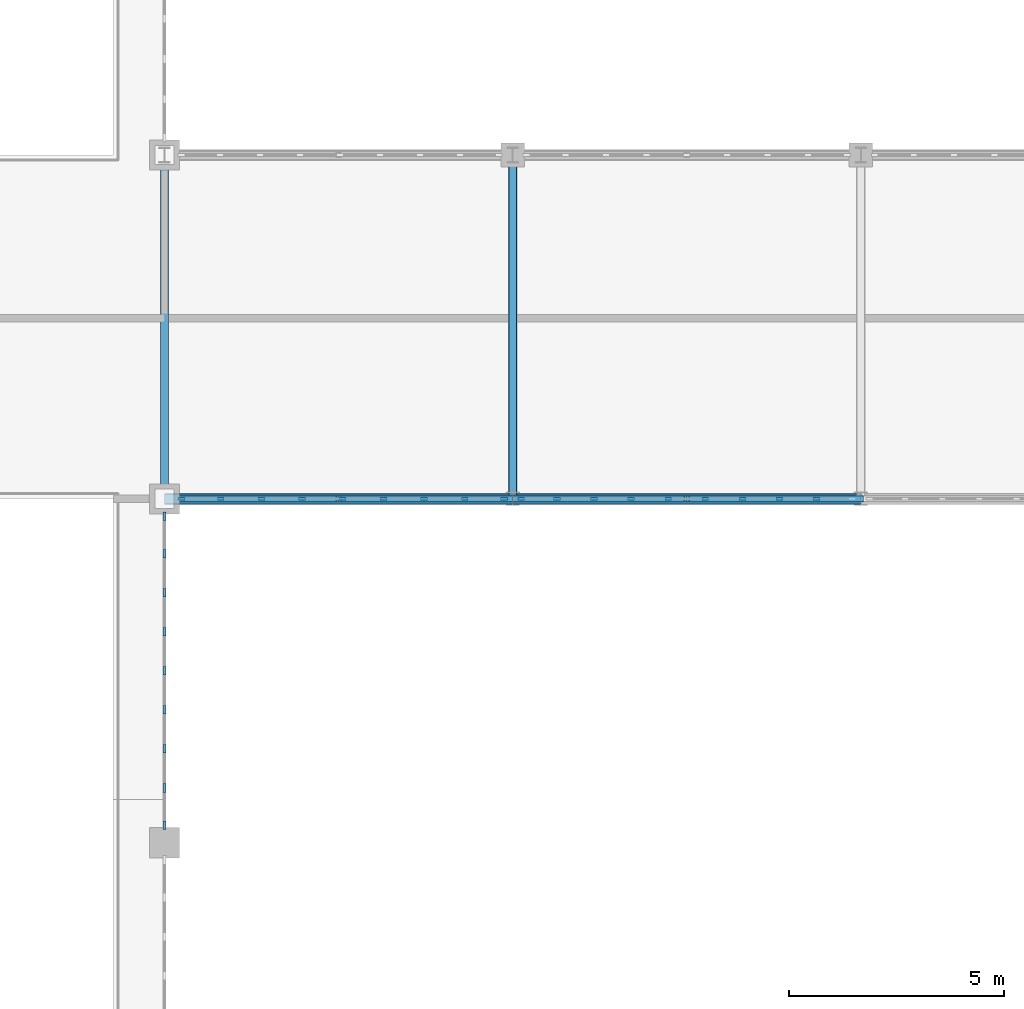
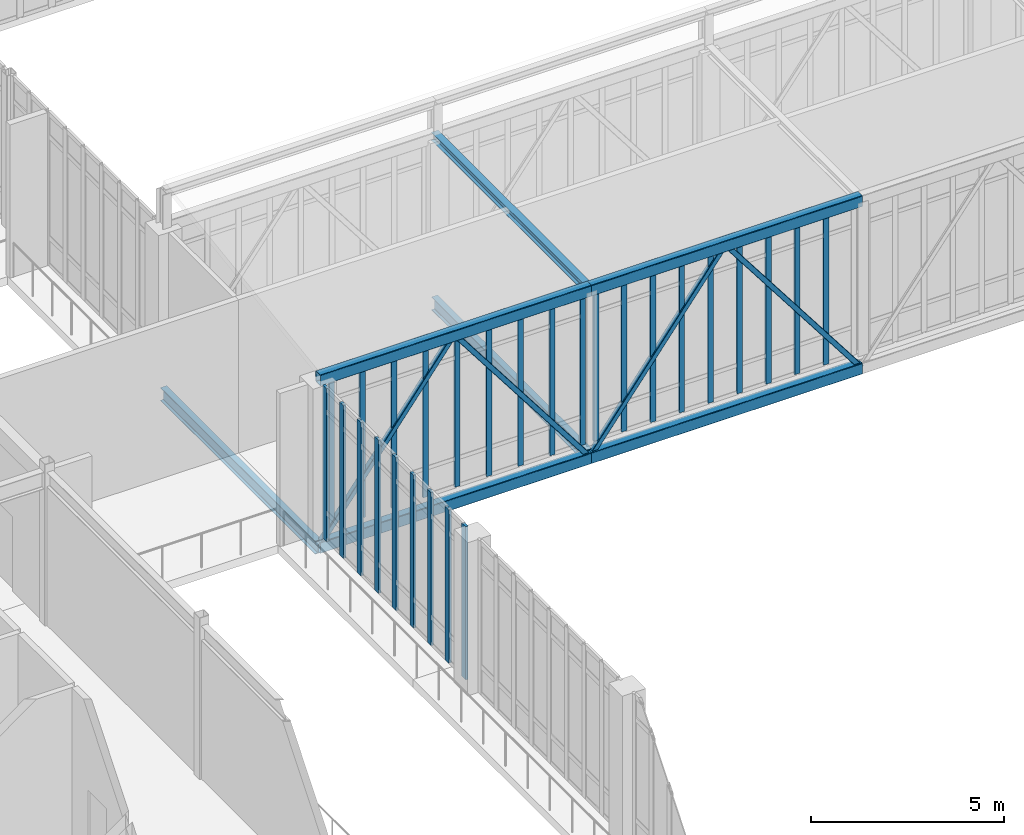
# One storey, part 26 of 107: 35 members, 3 beams, 3 elements without a shape of their own.
"""IFC4 building model written with IfcOpenShell, lengths in metres."""

import ifcopenshell
import ifcopenshell.guid

model = None  # the IFC model being written
_history = None  # IfcOwnerHistory: only IFC2X3 demands one
_inside = {}  # id of a spatial element -> (the spatial element, [elements in it])
_under = {}  # id of a project, library or spatial element -> (it, [spatial elements below it])
_declared = {}  # id of a project -> (the project, [libraries it declares])
_typed = {}  # id of a type object -> (the type object, [elements of that type])
_made_of = {}  # id of a material, layer set ... -> (it, [elements and type objects made of it])


def new_model(schema):
    """Start an empty IFC model of exactly this schema.

    Asked for "IFC4X3", IfcOpenShell would pick the latest addendum, in which some entities
    have other attributes; the version numbers below select the first issue.
    IFC2X3 requires an IfcOwnerHistory on every rooted entity: one is made here for all.
    """
    global model, _history
    if schema == "IFC4X3":
        model = ifcopenshell.file(schema_version=(4, 3, 0, 0))
    else:
        model = ifcopenshell.file(schema=schema)
    _inside.clear()
    _under.clear()
    _declared.clear()
    _typed.clear()
    _made_of.clear()
    _history = None
    if model.schema == "IFC2X3":
        org = make("IfcOrganization", Name="unknown")
        user = make(
            "IfcPersonAndOrganization",
            ThePerson=make("IfcPerson", FamilyName="unknown"),
            TheOrganization=org,
        )
        app = make(
            "IfcApplication",
            ApplicationDeveloper=org,
            Version="unknown",
            ApplicationFullName="unknown",
            ApplicationIdentifier="unknown",
        )
        _history = make(
            "IfcOwnerHistory",
            OwningUser=user,
            OwningApplication=app,
            ChangeAction="ADDED",
            CreationDate=0,
        )
    return model


def make(cls, **values):
    """One entity of the class cls with the attributes given. An attribute that is None is left unset."""
    return model.create_entity(
        cls, **{name: value for name, value in values.items() if value is not None}
    )


def rooted(cls, **values):
    """An entity with a GlobalId (a new one), such as an element, a storey or a relation."""
    return make(cls, GlobalId=ifcopenshell.guid.new(), OwnerHistory=_history, **values)


def si_unit(unit_type, name, prefix=None):
    """IfcSIUnit, for example si_unit("LENGTHUNIT", "METRE", prefix="MILLI")."""
    return make("IfcSIUnit", UnitType=unit_type, Prefix=prefix, Name=name)


def assignment(units):
    """IfcUnitAssignment: the units of a project."""
    return None if units is None else make("IfcUnitAssignment", Units=units)


def point(xyz):
    """IfcCartesianPoint."""
    return None if xyz is None else make("IfcCartesianPoint", Coordinates=xyz)


def direction(xyz):
    """IfcDirection."""
    return None if xyz is None else make("IfcDirection", DirectionRatios=xyz)


def frame(location, z_axis=None, x_axis=None):
    """IfcAxis2Placement3D, a coordinate frame: its origin and axes. An axis left out is left unset."""
    return make(
        "IfcAxis2Placement3D",
        Location=point(location),
        Axis=direction(z_axis),
        RefDirection=direction(x_axis),
    )


def frame_2d(location, x_axis=None):
    """IfcAxis2Placement2D, a coordinate frame in the plane: its origin and x axis."""
    return make(
        "IfcAxis2Placement2D", Location=point(location), RefDirection=direction(x_axis)
    )


def origin():
    """The frame at (0, 0, 0) with its axes left unset."""
    return frame((0.0, 0.0, 0.0))


def origin_2d():
    """The frame at (0, 0) in the plane with its x axis left unset."""
    return frame_2d((0.0, 0.0))


def place(relative_to, where):
    """IfcLocalPlacement: puts the frame where relative to a parent placement (None: the world)."""
    return make(
        "IfcLocalPlacement", PlacementRelTo=relative_to, RelativePlacement=where
    )


def context(
    kind, dimensions, precision=None, world=None, true_north=None, identifier=None
):
    """IfcGeometricRepresentationContext, for example the 3D "Model" context."""
    return make(
        "IfcGeometricRepresentationContext",
        ContextIdentifier=identifier,
        ContextType=kind,
        CoordinateSpaceDimension=dimensions,
        Precision=precision,
        WorldCoordinateSystem=world,
        TrueNorth=true_north,
    )


def subcontext(parent, identifier, kind, view, scale=None):
    """IfcGeometricRepresentationSubContext, for example "Body" below "Model"."""
    return make(
        "IfcGeometricRepresentationSubContext",
        ContextIdentifier=identifier,
        ContextType=kind,
        ParentContext=parent,
        TargetScale=scale,
        TargetView=view,
    )


def project(units=None, contexts=None):
    """IfcProject with its units and contexts."""
    return rooted(
        "IfcProject",
        Name="project",
        RepresentationContexts=contexts,
        UnitsInContext=assignment(units),
    )


def spatial(cls, under=None, at=None, **own):
    """A site, building, storey or space (cls), placed at a placement, below another one or the project."""
    s = rooted(cls, ObjectPlacement=at, **own)
    if under is not None:
        _under.setdefault(under.id(), (under, []))[1].append(s)
    return s


def profile(cls, at=None, kind="AREA", **sizes):
    """A parametric profile (cls). Its sizes go by their IFC names, for example OverallWidth=200.0."""
    return make(cls, ProfileType=kind, Position=at, **sizes)


def rectangle(**sizes):
    """IfcRectangleProfileDef."""
    return profile("IfcRectangleProfileDef", **sizes)


def hollow_rectangle(**sizes):
    """IfcRectangleHollowProfileDef."""
    return profile("IfcRectangleHollowProfileDef", **sizes)


def i_section(**sizes):
    """IfcIShapeProfileDef."""
    return profile("IfcIShapeProfileDef", **sizes)


def extrude(swept, where, along, depth):
    """IfcExtrudedAreaSolid: the profile swept, set in the frame where, extruded along a direction by depth."""
    return make(
        "IfcExtrudedAreaSolid",
        SweptArea=swept,
        Position=where,
        ExtrudedDirection=direction(along),
        Depth=depth,
    )


def shape(context_of_items, identifier, shape_type, items):
    """IfcShapeRepresentation: the items that make up one representation, for example the "Body"."""
    return make(
        "IfcShapeRepresentation",
        ContextOfItems=context_of_items,
        RepresentationIdentifier=identifier,
        RepresentationType=shape_type,
        Items=items,
    )


def material(Name=None, Category=None):
    """IfcMaterial."""
    return make("IfcMaterial", Name=Name, Category=Category)


def material_profile(
    of_material, cross_section, Name=None, Category=None, Priority=None
):
    """IfcMaterialProfile: a cross section and its material."""
    return make(
        "IfcMaterialProfile",
        Name=Name,
        Material=of_material,
        Profile=cross_section,
        Priority=Priority,
        Category=Category,
    )


def profile_set(profiles, Name=None, composite=None):
    """IfcMaterialProfileSet."""
    return make(
        "IfcMaterialProfileSet",
        Name=Name,
        MaterialProfiles=profiles,
        CompositeProfile=composite,
    )


def made_of(thing, what):
    """Note that an element or type object is made of a material, layer set ...; save() writes the relation."""
    if what is not None:
        _made_of.setdefault(what.id(), (what, []))[1].append(thing)
    return thing


def type_object(cls, material=None, **own):
    """A type object (cls), such as IfcWallType, which elements share."""
    return made_of(rooted(cls, **own), material)


def element(
    cls,
    number,
    at=None,
    inside=None,
    cuts=None,
    type_object=None,
    material=None,
    context=None,
    identifier="Body",
    shape_type=None,
    held_by="IfcProductDefinitionShape",
    body=None,
    shapes=None,
    **own,
):
    """One element of the class cls, such as IfcWall. Its Tag is "e" and its number.

    at: its placement. inside: the storey or other place that contains it. cuts: it is an
    opening in that element (IfcRelVoidsElement). A single representation is given by context,
    identifier, shape_type and body (its items); several are given by shapes. held_by: the class
    of the entity that holds the representations. save() writes the other relations.
    """
    e = rooted(cls, Tag="e%d" % number, ObjectPlacement=at, **own)
    if body is not None:
        shapes = [shape(context, identifier, shape_type, body)]
    if shapes is not None:
        e.Representation = make(held_by, Representations=shapes)
    if inside is not None:
        _inside.setdefault(inside.id(), (inside, []))[1].append(e)
    if cuts is not None:
        rooted(
            "IfcRelVoidsElement", RelatingBuildingElement=cuts, RelatedOpeningElement=e
        )
    if type_object is not None:
        _typed.setdefault(type_object.id(), (type_object, []))[1].append(e)
    return made_of(e, material)


def aggregate(whole, parts):
    """IfcRelAggregates: a whole, such as a stair, and the parts it consists of."""
    return rooted("IfcRelAggregates", RelatingObject=whole, RelatedObjects=parts)


def save(model, path):
    """Write the relations noted so far, then the file.

    IfcRelAggregates (storeys below a building ...), IfcRelContainedInSpatialStructure (elements
    in a storey), IfcRelDefinesByType, IfcRelAssociatesMaterial and IfcRelDeclares: one each for
    every whole, place, type object, material and project.
    """
    for whole, parts in _under.values():
        aggregate(whole, parts)
    for where, things in _inside.values():
        rooted(
            "IfcRelContainedInSpatialStructure",
            RelatedElements=things,
            RelatingStructure=where,
        )
    for kind, things in _typed.values():
        rooted("IfcRelDefinesByType", RelatedObjects=things, RelatingType=kind)
    for what, things in _made_of.values():
        rooted("IfcRelAssociatesMaterial", RelatedObjects=things, RelatingMaterial=what)
    for by, libraries in _declared.values():
        rooted("IfcRelDeclares", RelatingContext=by, RelatedDefinitions=libraries)
    model.write(path)


model = new_model("IFC4")

# Units and contexts
model_context = context("Model", 3, precision=1e-05, world=origin(), true_north=direction((0.0, 1.0)))
body_context = subcontext(model_context, "Body", "Model", "MODEL_VIEW")
ifc_project = project(units=[si_unit("LENGTHUNIT", "METRE"), si_unit("AREAUNIT", "SQUARE_METRE"), si_unit("VOLUMEUNIT", "CUBIC_METRE"), si_unit("PLANEANGLEUNIT", "RADIAN"), si_unit("MASSUNIT", "GRAM", prefix="KILO")], contexts=[model_context])

# Site, building, storey
site_placement = place(None, origin())
site = spatial("IfcSite", under=ifc_project, at=site_placement, CompositionType="ELEMENT")
building_placement = place(site_placement, origin())
building = spatial("IfcBuilding", under=site, at=building_placement, Name="Tarnveldt Square Police Headquarters", CompositionType="ELEMENT")
storey_placement = place(building_placement, frame((0.0, 0.0, 14.699951171875)))
storey = spatial("IfcBuildingStorey", under=building, at=storey_placement, Name="L03", CompositionType="ELEMENT", Elevation=14.699951171875)

# Beams
ifc_material_1 = material(Name="Steel 350W", Category="steel")
ifc_material_profile_1 = material_profile(ifc_material_1, i_section(OverallWidth=0.202880859375, OverallDepth=0.251953125, WebThickness=0.008056640625, FlangeThickness=0.013427734375, FilletRadius=0.012939453125, at=origin_2d()), Name="W250x58")
ifc_profile_set_1 = profile_set([ifc_material_profile_1], Name="Steel 350W")
beam_type_1 = type_object("IfcBeamType", Name="BM-W250x58", PredefinedType="BEAM", material=ifc_profile_set_1)
beam_placement = place(storey_placement, frame((56.699951171875, 72.0, 4.85009765625), z_axis=(0.0, 1.0, 0.0), x_axis=(-1.0, 0.0, 0.0)))
element("IfcBeam", 1, at=beam_placement, inside=storey, type_object=beam_type_1, Name="Skybridge SBN Roof Strut 2", PredefinedType="BEAM", context=body_context, shape_type="SweptSolid", body=[
    extrude(i_section(OverallWidth=0.202880859375, OverallDepth=0.251953125, WebThickness=0.008056640625, FlangeThickness=0.013427734375, FilletRadius=0.012939453125, at=origin_2d()), origin(), (0.0, 0.0, 1.0), 8.0),
])
ifc_material_profile_2 = material_profile(ifc_material_1, i_section(OverallWidth=0.180908203125, OverallDepth=0.4169921875, WebThickness=0.010986328125, FlangeThickness=0.018310546875, FilletRadius=0.01611328125, at=origin_2d()), Name="W410x85")
ifc_profile_set_2 = profile_set([ifc_material_profile_2], Name="Steel 350W")
beam_type_2 = type_object("IfcBeamType", Name="BM-W410x85", PredefinedType="BEAM", material=ifc_profile_set_2)
for number, where, z_axis, x_axis, name in (
    (2, (48.60009765625, 72.0, -0.468505859375), (0.0, 1.0, 0.0), (-1.0, 0.0, 0.0), "Skybridge SBN Floor Crossbeam 1"),
    (3, (56.699951171875, 72.0, -0.43994140625), (0.0, 1.0, 0.0), (-1.0, 0.0, 0.0), "Skybridge SBN Floor Crossbeam 2"),
):
    element("IfcBeam", number, at=place(storey_placement, frame(where, z_axis=z_axis, x_axis=x_axis)), inside=storey, type_object=beam_type_2, Name=name, PredefinedType="BEAM", context=body_context, shape_type="SweptSolid", body=[
        extrude(i_section(OverallWidth=0.180908203125, OverallDepth=0.4169921875, WebThickness=0.010986328125, FlangeThickness=0.018310546875, FilletRadius=0.01611328125, at=origin_2d()), origin(), (0.0, 0.0, 1.0), 8.0),
    ])

# Curtain wall, members
ifc_material_2 = material(Name="Triple-glazed low-e laminated vision glass", Category="glass")
curtain_wall_type_1 = type_object("IfcCurtainWallType", Name="CW-SB-757x484", PredefinedType="USERDEFINED", material=ifc_material_2)
curtain_wall_1_placement = place(storey_placement, origin())
curtain_wall_1 = element("IfcCurtainWall", 4, at=curtain_wall_1_placement, inside=storey, type_object=curtain_wall_type_1, Name="L03 Curtain Wall CW-L03-152", ObjectType="GLAZED CURTAIN WALL", PredefinedType="USERDEFINED")
ifc_material_3 = material(Name="Thermally broken anodised aluminium 6063-T6", Category="aluminium")
ifc_material_profile_3 = material_profile(ifc_material_3, rectangle(XDim=0.06494140625, YDim=0.159912109375, at=origin_2d()), Name="CW-M65x160")
ifc_profile_set_3 = profile_set([ifc_material_profile_3], Name="Thermally broken anodised aluminium 6063-T6")
member_type_1 = type_object("IfcMemberType", Name="CWM-65x160", PredefinedType="MULLION", material=ifc_profile_set_3)
member_1_placement = place(storey_placement, frame((48.99755859375, 72.0, 0.0), z_axis=(0.0, 0.0, 1.0), x_axis=(0.0, 1.0, 0.0)))
member_1 = element("IfcMember", 5, at=member_1_placement, type_object=member_type_1, Name="CW-SB89 mullion 1", PredefinedType="MULLION", context=body_context, shape_type="SweptSolid", body=[
    extrude(rectangle(XDim=0.06494140625, YDim=0.159912109375, at=origin_2d()), origin(), (0.0, 0.0, 1.0), 4.840087890625),
])
member_2_placement = place(storey_placement, frame((49.91064453125, 72.0, 0.0), z_axis=(0.0, 0.0, 1.0), x_axis=(0.0, 1.0, 0.0)))
member_2 = element("IfcMember", 6, at=member_2_placement, type_object=member_type_1, Name="CW-SB89 mullion 2", PredefinedType="MULLION", context=body_context, shape_type="SweptSolid", body=[
    extrude(rectangle(XDim=0.06494140625, YDim=0.159912109375, at=origin_2d()), origin(), (0.0, 0.0, 1.0), 4.840087890625),
])
member_3_placement = place(storey_placement, frame((50.8564453125, 72.0, 0.0), z_axis=(0.0, 0.0, 1.0), x_axis=(0.0, 1.0, 0.0)))
member_3 = element("IfcMember", 7, at=member_3_placement, type_object=member_type_1, Name="CW-SB89 mullion 3", PredefinedType="MULLION", context=body_context, shape_type="SweptSolid", body=[
    extrude(rectangle(XDim=0.06494140625, YDim=0.159912109375, at=origin_2d()), origin(), (0.0, 0.0, 1.0), 4.840087890625),
])
member_4_placement = place(storey_placement, frame((51.80224609375, 72.0, 0.0), z_axis=(0.0, 0.0, 1.0), x_axis=(0.0, 1.0, 0.0)))
member_4 = element("IfcMember", 8, at=member_4_placement, type_object=member_type_1, Name="CW-SB89 mullion 4", PredefinedType="MULLION", context=body_context, shape_type="SweptSolid", body=[
    extrude(rectangle(XDim=0.06494140625, YDim=0.159912109375, at=origin_2d()), origin(), (0.0, 0.0, 1.0), 4.840087890625),
])
member_5_placement = place(storey_placement, frame((52.748046875, 72.0, 0.0), z_axis=(0.0, 0.0, 1.0), x_axis=(0.0, 1.0, 0.0)))
member_5 = element("IfcMember", 9, at=member_5_placement, type_object=member_type_1, Name="CW-SB89 mullion 5", PredefinedType="MULLION", context=body_context, shape_type="SweptSolid", body=[
    extrude(rectangle(XDim=0.06494140625, YDim=0.159912109375, at=origin_2d()), origin(), (0.0, 0.0, 1.0), 4.840087890625),
])
member_6_placement = place(storey_placement, frame((53.69384765625, 72.0, 0.0), z_axis=(0.0, 0.0, 1.0), x_axis=(0.0, 1.0, 0.0)))
member_6 = element("IfcMember", 10, at=member_6_placement, type_object=member_type_1, Name="CW-SB89 mullion 6", PredefinedType="MULLION", context=body_context, shape_type="SweptSolid", body=[
    extrude(rectangle(XDim=0.06494140625, YDim=0.159912109375, at=origin_2d()), origin(), (0.0, 0.0, 1.0), 4.840087890625),
])
member_7_placement = place(storey_placement, frame((54.639404296875, 72.0, 0.0), z_axis=(0.0, 0.0, 1.0), x_axis=(0.0, 1.0, 0.0)))
member_7 = element("IfcMember", 11, at=member_7_placement, type_object=member_type_1, Name="CW-SB89 mullion 7", PredefinedType="MULLION", context=body_context, shape_type="SweptSolid", body=[
    extrude(rectangle(XDim=0.06494140625, YDim=0.159912109375, at=origin_2d()), origin(), (0.0, 0.0, 1.0), 4.840087890625),
])
member_8_placement = place(storey_placement, frame((55.585205078125, 72.0, 0.0), z_axis=(0.0, 0.0, 1.0), x_axis=(0.0, 1.0, 0.0)))
member_8 = element("IfcMember", 12, at=member_8_placement, type_object=member_type_1, Name="CW-SB89 mullion 8", PredefinedType="MULLION", context=body_context, shape_type="SweptSolid", body=[
    extrude(rectangle(XDim=0.06494140625, YDim=0.159912109375, at=origin_2d()), origin(), (0.0, 0.0, 1.0), 4.840087890625),
])
member_9_placement = place(storey_placement, frame((56.49853515625, 72.0, 0.0), z_axis=(0.0, 0.0, 1.0), x_axis=(0.0, 1.0, 0.0)))
member_9 = element("IfcMember", 13, at=member_9_placement, type_object=member_type_1, Name="CW-SB89 mullion 9", PredefinedType="MULLION", context=body_context, shape_type="SweptSolid", body=[
    extrude(rectangle(XDim=0.06494140625, YDim=0.159912109375, at=origin_2d()), origin(), (0.0, 0.0, 1.0), 4.840087890625),
])
aggregate(curtain_wall_1, [member_1, member_2, member_3, member_4, member_5, member_6, member_7, member_8, member_9])

curtain_wall_type_2 = type_object("IfcCurtainWallType", Name="CW-SB-776x484", PredefinedType="USERDEFINED", material=ifc_material_2)
curtain_wall_2_placement = place(storey_placement, origin())
curtain_wall_2 = element("IfcCurtainWall", 14, at=curtain_wall_2_placement, inside=storey, type_object=curtain_wall_type_2, Name="L03 Curtain Wall CW-L03-153", ObjectType="GLAZED CURTAIN WALL", PredefinedType="USERDEFINED")
member_10_placement = place(storey_placement, frame((56.901611328125, 72.0, 0.0), z_axis=(0.0, 0.0, 1.0), x_axis=(0.0, 1.0, 0.0)))
member_10 = element("IfcMember", 15, at=member_10_placement, type_object=member_type_1, Name="CW-SB90 mullion 1", PredefinedType="MULLION", context=body_context, shape_type="SweptSolid", body=[
    extrude(rectangle(XDim=0.06494140625, YDim=0.159912109375, at=origin_2d()), origin(), (0.0, 0.0, 1.0), 4.840087890625),
])
member_11_placement = place(storey_placement, frame((57.7314453125, 72.0, 0.0), z_axis=(0.0, 0.0, 1.0), x_axis=(0.0, 1.0, 0.0)))
member_11 = element("IfcMember", 16, at=member_11_placement, type_object=member_type_1, Name="CW-SB90 mullion 2", PredefinedType="MULLION", context=body_context, shape_type="SweptSolid", body=[
    extrude(rectangle(XDim=0.06494140625, YDim=0.159912109375, at=origin_2d()), origin(), (0.0, 0.0, 1.0), 4.840087890625),
])
member_12_placement = place(storey_placement, frame((58.593994140625, 72.0, 0.0), z_axis=(0.0, 0.0, 1.0), x_axis=(0.0, 1.0, 0.0)))
member_12 = element("IfcMember", 17, at=member_12_placement, type_object=member_type_1, Name="CW-SB90 mullion 3", PredefinedType="MULLION", context=body_context, shape_type="SweptSolid", body=[
    extrude(rectangle(XDim=0.06494140625, YDim=0.159912109375, at=origin_2d()), origin(), (0.0, 0.0, 1.0), 4.840087890625),
])
member_13_placement = place(storey_placement, frame((59.456298828125, 72.0, 0.0), z_axis=(0.0, 0.0, 1.0), x_axis=(0.0, 1.0, 0.0)))
member_13 = element("IfcMember", 18, at=member_13_placement, type_object=member_type_1, Name="CW-SB90 mullion 4", PredefinedType="MULLION", context=body_context, shape_type="SweptSolid", body=[
    extrude(rectangle(XDim=0.06494140625, YDim=0.159912109375, at=origin_2d()), origin(), (0.0, 0.0, 1.0), 4.840087890625),
])
member_14_placement = place(storey_placement, frame((60.31884765625, 72.0, 0.0), z_axis=(0.0, 0.0, 1.0), x_axis=(0.0, 1.0, 0.0)))
member_14 = element("IfcMember", 19, at=member_14_placement, type_object=member_type_1, Name="CW-SB90 mullion 5", PredefinedType="MULLION", context=body_context, shape_type="SweptSolid", body=[
    extrude(rectangle(XDim=0.06494140625, YDim=0.159912109375, at=origin_2d()), origin(), (0.0, 0.0, 1.0), 4.840087890625),
])
member_15_placement = place(storey_placement, frame((61.18115234375, 72.0, 0.0), z_axis=(0.0, 0.0, 1.0), x_axis=(0.0, 1.0, 0.0)))
member_15 = element("IfcMember", 20, at=member_15_placement, type_object=member_type_1, Name="CW-SB90 mullion 6", PredefinedType="MULLION", context=body_context, shape_type="SweptSolid", body=[
    extrude(rectangle(XDim=0.06494140625, YDim=0.159912109375, at=origin_2d()), origin(), (0.0, 0.0, 1.0), 4.840087890625),
])
member_16_placement = place(storey_placement, frame((62.043701171875, 72.0, 0.0), z_axis=(0.0, 0.0, 1.0), x_axis=(0.0, 1.0, 0.0)))
member_16 = element("IfcMember", 21, at=member_16_placement, type_object=member_type_1, Name="CW-SB90 mullion 7", PredefinedType="MULLION", context=body_context, shape_type="SweptSolid", body=[
    extrude(rectangle(XDim=0.06494140625, YDim=0.159912109375, at=origin_2d()), origin(), (0.0, 0.0, 1.0), 4.840087890625),
])
member_17_placement = place(storey_placement, frame((62.906005859375, 72.0, 0.0), z_axis=(0.0, 0.0, 1.0), x_axis=(0.0, 1.0, 0.0)))
member_17 = element("IfcMember", 22, at=member_17_placement, type_object=member_type_1, Name="CW-SB90 mullion 8", PredefinedType="MULLION", context=body_context, shape_type="SweptSolid", body=[
    extrude(rectangle(XDim=0.06494140625, YDim=0.159912109375, at=origin_2d()), origin(), (0.0, 0.0, 1.0), 4.840087890625),
])
member_18_placement = place(storey_placement, frame((63.7685546875, 72.0, 0.0), z_axis=(0.0, 0.0, 1.0), x_axis=(0.0, 1.0, 0.0)))
member_18 = element("IfcMember", 23, at=member_18_placement, type_object=member_type_1, Name="CW-SB90 mullion 9", PredefinedType="MULLION", context=body_context, shape_type="SweptSolid", body=[
    extrude(rectangle(XDim=0.06494140625, YDim=0.159912109375, at=origin_2d()), origin(), (0.0, 0.0, 1.0), 4.840087890625),
])
aggregate(curtain_wall_2, [member_10, member_11, member_12, member_13, member_14, member_15, member_16, member_17, member_18])

curtain_wall_type_3 = type_object("IfcCurtainWallType", Name="CW-WG-727x484", PredefinedType="USERDEFINED", material=ifc_material_2)
curtain_wall_3_placement = place(storey_placement, origin())
curtain_wall_3 = element("IfcCurtainWall", 24, at=curtain_wall_3_placement, inside=storey, type_object=curtain_wall_type_3, Name="L03 Curtain Wall CW-L03-080", ObjectType="GLAZED CURTAIN WALL", PredefinedType="USERDEFINED")
ifc_material_profile_4 = material_profile(ifc_material_3, rectangle(XDim=0.074951171875, YDim=0.199951171875, at=origin_2d()), Name="CW-M75x200")
ifc_profile_set_4 = profile_set([ifc_material_profile_4], Name="Thermally broken anodised aluminium 6063-T6")
member_type_2 = type_object("IfcMemberType", Name="CWM-75x200", PredefinedType="MULLION", material=ifc_profile_set_4)
member_19_placement = place(storey_placement, frame((48.60009765625, 64.402587890625, 0.0), z_axis=(0.0, 0.0, 1.0), x_axis=(-1.0, 0.0, 0.0)))
member_19 = element("IfcMember", 25, at=member_19_placement, type_object=member_type_2, Name="CW-WG39 mullion 1", PredefinedType="MULLION", context=body_context, shape_type="SweptSolid", body=[
    extrude(rectangle(XDim=0.074951171875, YDim=0.199951171875, at=origin_2d()), origin(), (0.0, 0.0, 1.0), 4.840087890625),
])
member_20_placement = place(storey_placement, frame((48.60009765625, 65.273681640625, 0.0), z_axis=(0.0, 0.0, 1.0), x_axis=(-1.0, 0.0, 0.0)))
member_20 = element("IfcMember", 26, at=member_20_placement, type_object=member_type_2, Name="CW-WG39 mullion 2", PredefinedType="MULLION", context=body_context, shape_type="SweptSolid", body=[
    extrude(rectangle(XDim=0.074951171875, YDim=0.199951171875, at=origin_2d()), origin(), (0.0, 0.0, 1.0), 4.840087890625),
])
member_21_placement = place(storey_placement, frame((48.60009765625, 66.1826171875, 0.0), z_axis=(0.0, 0.0, 1.0), x_axis=(-1.0, 0.0, 0.0)))
member_21 = element("IfcMember", 27, at=member_21_placement, type_object=member_type_2, Name="CW-WG39 mullion 3", PredefinedType="MULLION", context=body_context, shape_type="SweptSolid", body=[
    extrude(rectangle(XDim=0.074951171875, YDim=0.199951171875, at=origin_2d()), origin(), (0.0, 0.0, 1.0), 4.840087890625),
])
member_22_placement = place(storey_placement, frame((48.60009765625, 67.09130859375, 0.0), z_axis=(0.0, 0.0, 1.0), x_axis=(-1.0, 0.0, 0.0)))
member_22 = element("IfcMember", 28, at=member_22_placement, type_object=member_type_2, Name="CW-WG39 mullion 4", PredefinedType="MULLION", context=body_context, shape_type="SweptSolid", body=[
    extrude(rectangle(XDim=0.074951171875, YDim=0.199951171875, at=origin_2d()), origin(), (0.0, 0.0, 1.0), 4.840087890625),
])
member_23_placement = place(storey_placement, frame((48.60009765625, 68.0, 0.0), z_axis=(0.0, 0.0, 1.0), x_axis=(-1.0, 0.0, 0.0)))
member_23 = element("IfcMember", 29, at=member_23_placement, type_object=member_type_2, Name="CW-WG39 mullion 5", PredefinedType="MULLION", context=body_context, shape_type="SweptSolid", body=[
    extrude(rectangle(XDim=0.074951171875, YDim=0.199951171875, at=origin_2d()), origin(), (0.0, 0.0, 1.0), 4.840087890625),
])
member_24_placement = place(storey_placement, frame((48.60009765625, 68.90869140625, 0.0), z_axis=(0.0, 0.0, 1.0), x_axis=(-1.0, 0.0, 0.0)))
member_24 = element("IfcMember", 30, at=member_24_placement, type_object=member_type_2, Name="CW-WG39 mullion 6", PredefinedType="MULLION", context=body_context, shape_type="SweptSolid", body=[
    extrude(rectangle(XDim=0.074951171875, YDim=0.199951171875, at=origin_2d()), origin(), (0.0, 0.0, 1.0), 4.840087890625),
])
member_25_placement = place(storey_placement, frame((48.60009765625, 69.8173828125, 0.0), z_axis=(0.0, 0.0, 1.0), x_axis=(-1.0, 0.0, 0.0)))
member_25 = element("IfcMember", 31, at=member_25_placement, type_object=member_type_2, Name="CW-WG39 mullion 7", PredefinedType="MULLION", context=body_context, shape_type="SweptSolid", body=[
    extrude(rectangle(XDim=0.074951171875, YDim=0.199951171875, at=origin_2d()), origin(), (0.0, 0.0, 1.0), 4.840087890625),
])
member_26_placement = place(storey_placement, frame((48.60009765625, 70.726318359375, 0.0), z_axis=(0.0, 0.0, 1.0), x_axis=(-1.0, 0.0, 0.0)))
member_26 = element("IfcMember", 32, at=member_26_placement, type_object=member_type_2, Name="CW-WG39 mullion 8", PredefinedType="MULLION", context=body_context, shape_type="SweptSolid", body=[
    extrude(rectangle(XDim=0.074951171875, YDim=0.199951171875, at=origin_2d()), origin(), (0.0, 0.0, 1.0), 4.840087890625),
])
member_27_placement = place(storey_placement, frame((48.60009765625, 71.597412109375, 0.0), z_axis=(0.0, 0.0, 1.0), x_axis=(-1.0, 0.0, 0.0)))
member_27 = element("IfcMember", 33, at=member_27_placement, type_object=member_type_2, Name="CW-WG39 mullion 9", PredefinedType="MULLION", context=body_context, shape_type="SweptSolid", body=[
    extrude(rectangle(XDim=0.074951171875, YDim=0.199951171875, at=origin_2d()), origin(), (0.0, 0.0, 1.0), 4.840087890625),
])
aggregate(curtain_wall_3, [member_19, member_20, member_21, member_22, member_23, member_24, member_25, member_26, member_27])

# Members
ifc_material_profile_5 = material_profile(ifc_material_1, hollow_rectangle(XDim=0.25390625, YDim=0.355712890625, WallThickness=0.015869140625, InnerFilletRadius=0.015869140625, OuterFilletRadius=0.03173828125, at=origin_2d()), Name="HSS356x254x16")
ifc_profile_set_5 = profile_set([ifc_material_profile_5], Name="Steel 350W")
member_type_3 = type_object("IfcMemberType", Name="MEM-SB-CHORD", PredefinedType="CHORD", material=ifc_profile_set_5)
for number, where, z_axis, x_axis, name in (
    (34, (48.60009765625, 72.0, -0.43994140625), (1.0, 0.0, 0.0), (0.0, 1.0, 0.0), "Skybridge SBN Bottom Chord S1"),
    (35, (48.60009765625, 72.0, 4.85009765625), (1.0, 0.0, 0.0), (0.0, 1.0, 0.0), "Skybridge SBN Top Chord S1"),
):
    element("IfcMember", number, at=place(storey_placement, frame(where, z_axis=z_axis, x_axis=x_axis)), inside=storey, type_object=member_type_3, Name=name, PredefinedType="CHORD", context=body_context, shape_type="SweptSolid", body=[
        extrude(hollow_rectangle(XDim=0.25390625, YDim=0.355712890625, WallThickness=0.015869140625, InnerFilletRadius=0.015869140625, OuterFilletRadius=0.03173828125, at=origin_2d()), origin(), (0.0, 0.0, 1.0), 8.099853515625),
    ])
for number, where, z_axis, x_axis, name in (
    (36, (56.699951171875, 72.0, -0.43994140625), (1.0, 0.0, 0.0), (0.0, 1.0, 0.0), "Skybridge SBN Bottom Chord S2"),
    (37, (56.699951171875, 72.0, 4.85009765625), (1.0, 0.0, 0.0), (0.0, 1.0, 0.0), "Skybridge SBN Top Chord S2"),
):
    element("IfcMember", number, at=place(storey_placement, frame(where, z_axis=z_axis, x_axis=x_axis)), inside=storey, type_object=member_type_3, Name=name, PredefinedType="CHORD", context=body_context, shape_type="SweptSolid", body=[
        extrude(hollow_rectangle(XDim=0.25390625, YDim=0.355712890625, WallThickness=0.015869140625, InnerFilletRadius=0.015869140625, OuterFilletRadius=0.03173828125, at=origin_2d()), origin(), (0.0, 0.0, 1.0), 8.10009765625),
    ])
ifc_material_profile_6 = material_profile(ifc_material_1, hollow_rectangle(XDim=0.15234375, YDim=0.15234375, WallThickness=0.009521484375, InnerFilletRadius=0.009521484375, OuterFilletRadius=0.01904296875, at=origin_2d()), Name="HSS152x152x9.5")
ifc_profile_set_6 = profile_set([ifc_material_profile_6], Name="Steel 350W")
member_type_4 = type_object("IfcMemberType", Name="MEM-SB-WEB", PredefinedType="BRACE", material=ifc_profile_set_6)
for number, where, z_axis, x_axis, name in (
    (38, (48.60009765625, 72.0, -0.43994140625), (0.607874403773, 0.0, 0.794033191521), (0.0, 1.0, 0.0), "Skybridge SBN Web A1"),
    (39, (56.699951171875, 72.0, -0.43994140625), (-0.607897507531, 0.0, 0.794015503839), (0.0, -1.0, 0.0), "Skybridge SBN Web B1"),
    (40, (56.699951171875, 72.0, -0.43994140625), (0.607897507531, 0.0, 0.794015503839), (0.0, 1.0, 0.0), "Skybridge SBN Web A2"),
    (41, (64.800048828125, 72.0, -0.43994140625), (-0.607897507531, 0.0, 0.794015503839), (0.0, -1.0, 0.0), "Skybridge SBN Web B2"),
):
    element("IfcMember", number, at=place(storey_placement, frame(where, z_axis=z_axis, x_axis=x_axis)), inside=storey, type_object=member_type_4, Name=name, PredefinedType="BRACE", context=body_context, shape_type="SweptSolid", body=[
        extrude(hollow_rectangle(XDim=0.15234375, YDim=0.15234375, WallThickness=0.009521484375, InnerFilletRadius=0.009521484375, OuterFilletRadius=0.01904296875, at=origin_2d()), origin(), (0.0, 0.0, 1.0), 6.662353515625),
    ])

save(model, "model.ifc")
